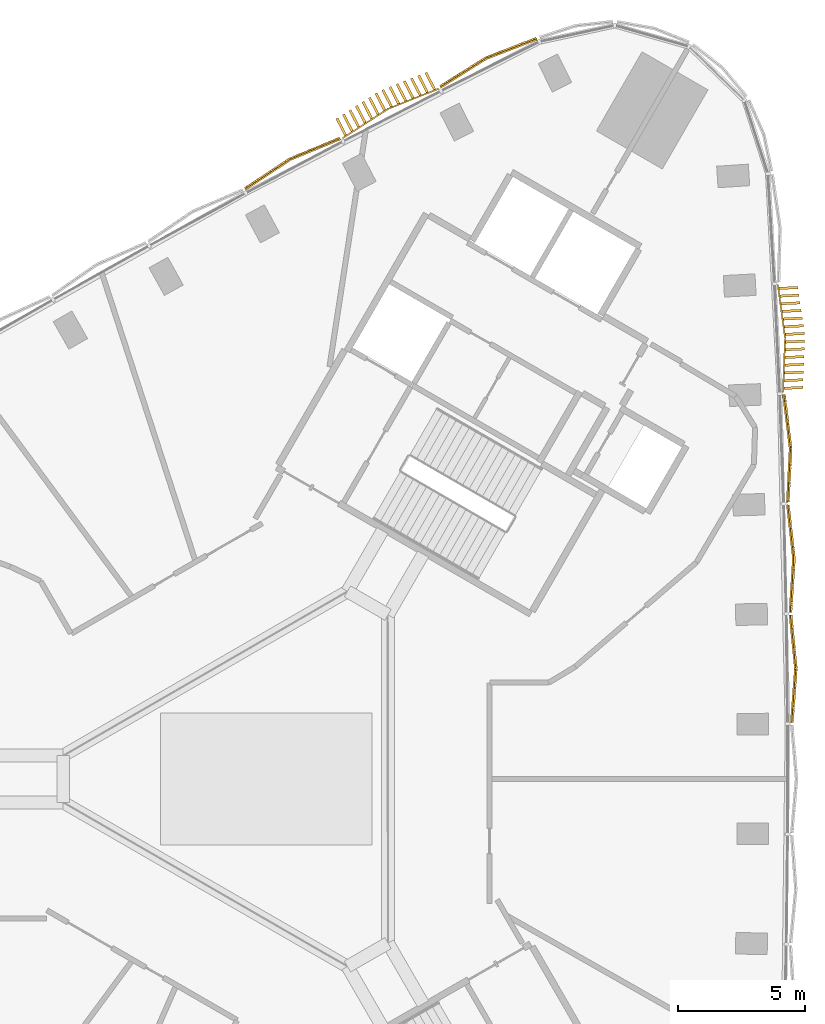
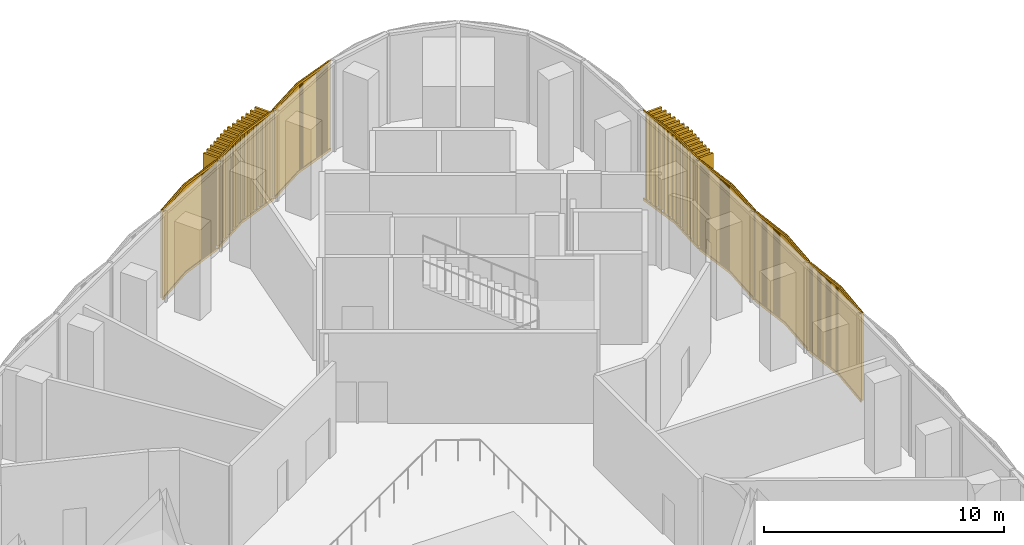
# One storey, part 16 of 17: 7 coverings.
"""IFC4 building model written with IfcOpenShell, lengths in metres."""

from ifc_helpers import new_model, si_unit, direction, frame, frame_2d, origin, place, context, subcontext, project, spatial, rectangle, extrude, source, transform, mapped, material, type_object, element, save


model = new_model("IFC4")

# Units and contexts
model_context = context("Model", 3, precision=1e-05, world=origin(), true_north=direction((0.0, 1.0)))
body_context = subcontext(model_context, "Body", "Model", "MODEL_VIEW")
ifc_project = project(units=[si_unit("LENGTHUNIT", "METRE"), si_unit("AREAUNIT", "SQUARE_METRE"), si_unit("VOLUMEUNIT", "CUBIC_METRE"), si_unit("PLANEANGLEUNIT", "RADIAN"), si_unit("MASSUNIT", "GRAM", prefix="KILO")], contexts=[model_context])

# Site, building, storey
site_placement = place(None, origin())
site = spatial("IfcSite", under=ifc_project, at=site_placement, CompositionType="ELEMENT")
building_placement = place(site_placement, origin())
building = spatial("IfcBuilding", under=site, at=building_placement, Name="Tamra Quay Hotel Tower", CompositionType="ELEMENT")
storey_placement = place(building_placement, frame((0.0, 0.0, 123.800048828125)))
storey = spatial("IfcBuildingStorey", under=building, at=storey_placement, Name="L30", CompositionType="ELEMENT", Elevation=123.800048828125)

# Coverings
ifc_material = material(Name="Terracotta baguette extruded", Category="masonry")
covering_type_1 = type_object("IfcCoveringType", Name="BAGUETTE SCREEN E-SHALLOW H4600", PredefinedType="USERDEFINED", material=ifc_material)
shared_shape_1 = source(origin(), body_context, "Body", "SweptSolid", [
    extrude(rectangle(XDim=2.130615234375, YDim=0.06005859375, at=frame_2d((1.0654296875, 0.030029296875))), frame((-2.127685546875, -0.057861328125, -0.1201171875), z_axis=(0.0, 0.0, 1.0), x_axis=(0.996194698092, -0.087155742748, 0.0)), (0.0, 0.0, 1.0), 0.1201171875),
    extrude(rectangle(XDim=2.130615234375, YDim=0.06005859375, at=frame_2d((1.0654296875, 0.030029296875))), frame((-2.127685546875, -0.057861328125, -4.60009765625), z_axis=(0.0, 0.0, 1.0), x_axis=(0.996194698092, -0.087155742748, 0.0)), (0.0, 0.0, 1.0), 0.1201171875),
    extrude(rectangle(XDim=0.094970703125, YDim=0.10009765625, at=frame_2d((0.04736328125, 0.050048828125))), frame((-2.119384765625, -0.13232421875, -4.5400390625)), (0.0, 0.0, 1.0), 4.47998046875),
    extrude(rectangle(XDim=0.094970703125, YDim=0.10009765625, at=frame_2d((0.04736328125, 0.050048828125))), frame((-2.018310546875, -0.141357421875, -4.5400390625)), (0.0, 0.0, 1.0), 4.47998046875),
    extrude(rectangle(XDim=0.094970703125, YDim=0.10009765625, at=frame_2d((0.04736328125, 0.050048828125))), frame((-1.917236328125, -0.150146484375, -4.5400390625)), (0.0, 0.0, 1.0), 4.47998046875),
    extrude(rectangle(XDim=0.094970703125, YDim=0.10009765625, at=frame_2d((0.04736328125, 0.050048828125))), frame((-1.816162109375, -0.158935546875, -4.5400390625)), (0.0, 0.0, 1.0), 4.47998046875),
    extrude(rectangle(XDim=0.094970703125, YDim=0.10009765625, at=frame_2d((0.04736328125, 0.050048828125))), frame((-1.715087890625, -0.167724609375, -4.5400390625)), (0.0, 0.0, 1.0), 4.47998046875),
    extrude(rectangle(XDim=0.094970703125, YDim=0.10009765625, at=frame_2d((0.04736328125, 0.050048828125))), frame((-1.614013671875, -0.176513671875, -4.5400390625)), (0.0, 0.0, 1.0), 4.47998046875),
    extrude(rectangle(XDim=0.094970703125, YDim=0.10009765625, at=frame_2d((0.04736328125, 0.050048828125))), frame((-1.512939453125, -0.185546875, -4.5400390625)), (0.0, 0.0, 1.0), 4.47998046875),
    extrude(rectangle(XDim=0.094970703125, YDim=0.10009765625, at=frame_2d((0.04736328125, 0.050048828125))), frame((-1.411865234375, -0.1943359375, -4.5400390625)), (0.0, 0.0, 1.0), 4.47998046875),
    extrude(rectangle(XDim=0.094970703125, YDim=0.10009765625, at=frame_2d((0.04736328125, 0.050048828125))), frame((-1.310791015625, -0.203125, -4.5400390625)), (0.0, 0.0, 1.0), 4.47998046875),
    extrude(rectangle(XDim=0.094970703125, YDim=0.10009765625, at=frame_2d((0.04736328125, 0.050048828125))), frame((-1.209716796875, -0.2119140625, -4.5400390625)), (0.0, 0.0, 1.0), 4.47998046875),
    extrude(rectangle(XDim=0.094970703125, YDim=0.10009765625, at=frame_2d((0.04736328125, 0.050048828125))), frame((-1.108642578125, -0.220947265625, -4.5400390625)), (0.0, 0.0, 1.0), 4.47998046875),
    extrude(rectangle(XDim=0.094970703125, YDim=0.10009765625, at=frame_2d((0.04736328125, 0.050048828125))), frame((-1.007568359375, -0.229736328125, -4.5400390625)), (0.0, 0.0, 1.0), 4.47998046875),
    extrude(rectangle(XDim=0.094970703125, YDim=0.10009765625, at=frame_2d((0.04736328125, 0.050048828125))), frame((-0.906494140625, -0.238525390625, -4.5400390625)), (0.0, 0.0, 1.0), 4.47998046875),
    extrude(rectangle(XDim=0.094970703125, YDim=0.10009765625, at=frame_2d((0.04736328125, 0.050048828125))), frame((-0.805419921875, -0.247314453125, -4.5400390625)), (0.0, 0.0, 1.0), 4.47998046875),
    extrude(rectangle(XDim=0.094970703125, YDim=0.10009765625, at=frame_2d((0.04736328125, 0.050048828125))), frame((-0.704345703125, -0.256103515625, -4.5400390625)), (0.0, 0.0, 1.0), 4.47998046875),
    extrude(rectangle(XDim=0.094970703125, YDim=0.10009765625, at=frame_2d((0.04736328125, 0.050048828125))), frame((-0.603271484375, -0.26513671875, -4.5400390625)), (0.0, 0.0, 1.0), 4.47998046875),
    extrude(rectangle(XDim=0.094970703125, YDim=0.10009765625, at=frame_2d((0.04736328125, 0.050048828125))), frame((-0.50244140625, -0.27392578125, -4.5400390625)), (0.0, 0.0, 1.0), 4.47998046875),
    extrude(rectangle(XDim=0.094970703125, YDim=0.10009765625, at=frame_2d((0.04736328125, 0.050048828125))), frame((-0.4013671875, -0.28271484375, -4.5400390625)), (0.0, 0.0, 1.0), 4.47998046875),
    extrude(rectangle(XDim=0.094970703125, YDim=0.10009765625, at=frame_2d((0.04736328125, 0.050048828125))), frame((-0.30029296875, -0.29150390625, -4.5400390625)), (0.0, 0.0, 1.0), 4.47998046875),
    extrude(rectangle(XDim=0.094970703125, YDim=0.10009765625, at=frame_2d((0.04736328125, 0.050048828125))), frame((-0.19921875, -0.300537109375, -4.5400390625)), (0.0, 0.0, 1.0), 4.47998046875),
    extrude(rectangle(XDim=0.094970703125, YDim=0.10009765625, at=frame_2d((0.04736328125, 0.050048828125))), frame((-0.09814453125, -0.309326171875, -4.5400390625)), (0.0, 0.0, 1.0), 4.47998046875),
    extrude(rectangle(XDim=2.130615234375, YDim=0.06005859375, at=frame_2d((1.0654296875, 0.030029296875))), frame((0.005126953125, -0.243408203125, -0.1201171875), z_axis=(0.0, 0.0, 1.0), x_axis=(0.996194698092, 0.087155742748, 0.0)), (0.0, 0.0, 1.0), 0.1201171875),
    extrude(rectangle(XDim=2.130615234375, YDim=0.06005859375, at=frame_2d((1.0654296875, 0.030029296875))), frame((0.005126953125, -0.243408203125, -4.60009765625), z_axis=(0.0, 0.0, 1.0), x_axis=(0.996194698092, 0.087155742748, 0.0)), (0.0, 0.0, 1.0), 0.1201171875),
    extrude(rectangle(XDim=0.094970703125, YDim=0.10009765625, at=frame_2d((0.04736328125, 0.050048828125))), frame((0.0029296875, -0.309326171875, -4.5400390625)), (0.0, 0.0, 1.0), 4.47998046875),
    extrude(rectangle(XDim=0.094970703125, YDim=0.10009765625, at=frame_2d((0.04736328125, 0.050048828125))), frame((0.10400390625, -0.300537109375, -4.5400390625)), (0.0, 0.0, 1.0), 4.47998046875),
    extrude(rectangle(XDim=0.094970703125, YDim=0.10009765625, at=frame_2d((0.04736328125, 0.050048828125))), frame((0.205078125, -0.29150390625, -4.5400390625)), (0.0, 0.0, 1.0), 4.47998046875),
    extrude(rectangle(XDim=0.094970703125, YDim=0.10009765625, at=frame_2d((0.04736328125, 0.050048828125))), frame((0.30615234375, -0.28271484375, -4.5400390625)), (0.0, 0.0, 1.0), 4.47998046875),
    extrude(rectangle(XDim=0.094970703125, YDim=0.10009765625, at=frame_2d((0.04736328125, 0.050048828125))), frame((0.4072265625, -0.27392578125, -4.5400390625)), (0.0, 0.0, 1.0), 4.47998046875),
    extrude(rectangle(XDim=0.094970703125, YDim=0.10009765625, at=frame_2d((0.04736328125, 0.050048828125))), frame((0.50830078125, -0.26513671875, -4.5400390625)), (0.0, 0.0, 1.0), 4.47998046875),
    extrude(rectangle(XDim=0.094970703125, YDim=0.10009765625, at=frame_2d((0.04736328125, 0.050048828125))), frame((0.609375, -0.256103515625, -4.5400390625)), (0.0, 0.0, 1.0), 4.47998046875),
    extrude(rectangle(XDim=0.094970703125, YDim=0.10009765625, at=frame_2d((0.04736328125, 0.050048828125))), frame((0.71044921875, -0.247314453125, -4.5400390625)), (0.0, 0.0, 1.0), 4.47998046875),
    extrude(rectangle(XDim=0.094970703125, YDim=0.10009765625, at=frame_2d((0.04736328125, 0.050048828125))), frame((0.8115234375, -0.238525390625, -4.5400390625)), (0.0, 0.0, 1.0), 4.47998046875),
    extrude(rectangle(XDim=0.094970703125, YDim=0.10009765625, at=frame_2d((0.04736328125, 0.050048828125))), frame((0.91259765625, -0.229736328125, -4.5400390625)), (0.0, 0.0, 1.0), 4.47998046875),
    extrude(rectangle(XDim=0.094970703125, YDim=0.10009765625, at=frame_2d((0.04736328125, 0.050048828125))), frame((1.013671875, -0.220947265625, -4.5400390625)), (0.0, 0.0, 1.0), 4.47998046875),
    extrude(rectangle(XDim=0.094970703125, YDim=0.10009765625, at=frame_2d((0.04736328125, 0.050048828125))), frame((1.11474609375, -0.2119140625, -4.5400390625)), (0.0, 0.0, 1.0), 4.47998046875),
    extrude(rectangle(XDim=0.094970703125, YDim=0.10009765625, at=frame_2d((0.04736328125, 0.050048828125))), frame((1.2158203125, -0.203125, -4.5400390625)), (0.0, 0.0, 1.0), 4.47998046875),
    extrude(rectangle(XDim=0.094970703125, YDim=0.10009765625, at=frame_2d((0.04736328125, 0.050048828125))), frame((1.31689453125, -0.1943359375, -4.5400390625)), (0.0, 0.0, 1.0), 4.47998046875),
    extrude(rectangle(XDim=0.094970703125, YDim=0.10009765625, at=frame_2d((0.04736328125, 0.050048828125))), frame((1.41796875, -0.185546875, -4.5400390625)), (0.0, 0.0, 1.0), 4.47998046875),
    extrude(rectangle(XDim=0.094970703125, YDim=0.10009765625, at=frame_2d((0.04736328125, 0.050048828125))), frame((1.51904296875, -0.176513671875, -4.5400390625)), (0.0, 0.0, 1.0), 4.47998046875),
    extrude(rectangle(XDim=0.094970703125, YDim=0.10009765625, at=frame_2d((0.04736328125, 0.050048828125))), frame((1.6201171875, -0.167724609375, -4.5400390625)), (0.0, 0.0, 1.0), 4.47998046875),
    extrude(rectangle(XDim=0.094970703125, YDim=0.10009765625, at=frame_2d((0.04736328125, 0.050048828125))), frame((1.72119140625, -0.158935546875, -4.5400390625)), (0.0, 0.0, 1.0), 4.47998046875),
    extrude(rectangle(XDim=0.094970703125, YDim=0.10009765625, at=frame_2d((0.04736328125, 0.050048828125))), frame((1.822265625, -0.150146484375, -4.5400390625)), (0.0, 0.0, 1.0), 4.47998046875),
    extrude(rectangle(XDim=0.094970703125, YDim=0.10009765625, at=frame_2d((0.04736328125, 0.050048828125))), frame((1.92333984375, -0.141357421875, -4.5400390625)), (0.0, 0.0, 1.0), 4.47998046875),
    extrude(rectangle(XDim=0.094970703125, YDim=0.10009765625, at=frame_2d((0.04736328125, 0.050048828125))), frame((2.0244140625, -0.13232421875, -4.5400390625)), (0.0, 0.0, 1.0), 4.47998046875),
])
for number, where, z_axis, x_axis, name in (
    (1, (20.617919921875, 4.33984375, 4.599853515625), (0.0, 0.0, 1.0), (-0.011957083314, 0.999928511524, 0.0), "Baguette screen L30.E.f06"),
    (2, (20.5400390625, 8.67919921875, 4.599853515625), (0.0, 0.0, 1.0), (-0.02389629492, 0.999714442773, 0.0), "Baguette screen L30.E.f07"),
    (3, (20.410400390625, 13.017578125, 4.599853515625), (0.0, 0.0, 1.0), (-0.035844773182, 0.999357369631, 0.0), "Baguette screen L30.E.f08"),
):
    element("IfcCovering", number, at=place(storey_placement, frame(where, z_axis=z_axis, x_axis=x_axis)), inside=storey, type_object=covering_type_1, Name=name, ObjectType="BAGUETTE SCREEN", PredefinedType="USERDEFINED", context=body_context, shape_type="MappedRepresentation", body=[
        mapped(shared_shape_1, transform((0.0, 0.0, 0.0), scale=1.0)),
    ])
covering_type_2 = type_object("IfcCoveringType", Name="BAGUETTE SCREEN E-DEEP H4600", PredefinedType="USERDEFINED", material=ifc_material)
shared_shape_2 = source(origin(), body_context, "Body", "SweptSolid", [
    extrude(rectangle(XDim=2.130615234375, YDim=0.06005859375, at=frame_2d((1.0654296875, 0.030029296875))), frame((-2.127685546875, -0.057861328125, -0.1201171875), z_axis=(0.0, 0.0, 1.0), x_axis=(0.996194698092, -0.087155742748, 0.0)), (0.0, 0.0, 1.0), 0.1201171875),
    extrude(rectangle(XDim=2.130615234375, YDim=0.06005859375, at=frame_2d((1.0654296875, 0.030029296875))), frame((-2.127685546875, -0.057861328125, -4.60009765625), z_axis=(0.0, 0.0, 1.0), x_axis=(0.996194698092, -0.087155742748, 0.0)), (0.0, 0.0, 1.0), 0.1201171875),
    extrude(rectangle(XDim=0.10009765625, YDim=0.780029296875, at=frame_2d((0.050048828125, 0.39013671875))), frame((-2.02099609375, -0.8212890625, -4.5400390625)), (0.0, 0.0, 1.0), 4.47998046875),
    extrude(rectangle(XDim=0.10009765625, YDim=0.780029296875, at=frame_2d((0.050048828125, 0.39013671875))), frame((-1.7177734375, -0.847900390625, -4.5400390625)), (0.0, 0.0, 1.0), 4.47998046875),
    extrude(rectangle(XDim=0.10009765625, YDim=0.780029296875, at=frame_2d((0.050048828125, 0.39013671875))), frame((-1.41455078125, -0.874267578125, -4.5400390625)), (0.0, 0.0, 1.0), 4.47998046875),
    extrude(rectangle(XDim=0.10009765625, YDim=0.780029296875, at=frame_2d((0.050048828125, 0.39013671875))), frame((-1.111328125, -0.90087890625, -4.5400390625)), (0.0, 0.0, 1.0), 4.47998046875),
    extrude(rectangle(XDim=0.10009765625, YDim=0.780029296875, at=frame_2d((0.050048828125, 0.39013671875))), frame((-0.80810546875, -0.927490234375, -4.5400390625)), (0.0, 0.0, 1.0), 4.47998046875),
    extrude(rectangle(XDim=0.10009765625, YDim=0.780029296875, at=frame_2d((0.050048828125, 0.39013671875))), frame((-0.5048828125, -0.953857421875, -4.5400390625)), (0.0, 0.0, 1.0), 4.47998046875),
    extrude(rectangle(XDim=0.10009765625, YDim=0.780029296875, at=frame_2d((0.050048828125, 0.39013671875))), frame((-0.20166015625, -0.98046875, -4.5400390625)), (0.0, 0.0, 1.0), 4.47998046875),
    extrude(rectangle(XDim=2.130615234375, YDim=0.06005859375, at=frame_2d((1.0654296875, 0.030029296875))), frame((0.005126953125, -0.243408203125, -0.1201171875), z_axis=(0.0, 0.0, 1.0), x_axis=(0.996194698092, 0.087155742748, 0.0)), (0.0, 0.0, 1.0), 0.1201171875),
    extrude(rectangle(XDim=2.130615234375, YDim=0.06005859375, at=frame_2d((1.0654296875, 0.030029296875))), frame((0.005126953125, -0.243408203125, -4.60009765625), z_axis=(0.0, 0.0, 1.0), x_axis=(0.996194698092, 0.087155742748, 0.0)), (0.0, 0.0, 1.0), 0.1201171875),
    extrude(rectangle(XDim=0.10009765625, YDim=0.780029296875, at=frame_2d((0.050048828125, 0.39013671875))), frame((0.1015625, -0.98046875, -4.5400390625)), (0.0, 0.0, 1.0), 4.47998046875),
    extrude(rectangle(XDim=0.10009765625, YDim=0.780029296875, at=frame_2d((0.050048828125, 0.39013671875))), frame((0.40478515625, -0.953857421875, -4.5400390625)), (0.0, 0.0, 1.0), 4.47998046875),
    extrude(rectangle(XDim=0.10009765625, YDim=0.780029296875, at=frame_2d((0.050048828125, 0.39013671875))), frame((0.7080078125, -0.927490234375, -4.5400390625)), (0.0, 0.0, 1.0), 4.47998046875),
    extrude(rectangle(XDim=0.10009765625, YDim=0.780029296875, at=frame_2d((0.050048828125, 0.39013671875))), frame((1.01123046875, -0.90087890625, -4.5400390625)), (0.0, 0.0, 1.0), 4.47998046875),
    extrude(rectangle(XDim=0.10009765625, YDim=0.780029296875, at=frame_2d((0.050048828125, 0.39013671875))), frame((1.314453125, -0.874267578125, -4.5400390625)), (0.0, 0.0, 1.0), 4.47998046875),
    extrude(rectangle(XDim=0.10009765625, YDim=0.780029296875, at=frame_2d((0.050048828125, 0.39013671875))), frame((1.61767578125, -0.847900390625, -4.5400390625)), (0.0, 0.0, 1.0), 4.47998046875),
    extrude(rectangle(XDim=0.10009765625, YDim=0.780029296875, at=frame_2d((0.050048828125, 0.39013671875))), frame((1.9208984375, -0.8212890625, -4.5400390625)), (0.0, 0.0, 1.0), 4.47998046875),
])
covering_1_placement = place(storey_placement, frame((20.22900390625, 17.353759765625, 4.599853515625), z_axis=(0.0, 0.0, 1.0), x_axis=(-0.047746993886, 0.998859461874, 0.0)))
element("IfcCovering", 4, at=covering_1_placement, inside=storey, type_object=covering_type_2, Name="Baguette screen L30.E.f09", ObjectType="BAGUETTE SCREEN", PredefinedType="USERDEFINED", context=body_context, shape_type="MappedRepresentation", body=[
    mapped(shared_shape_2, transform((0.0, 0.0, 0.0), scale=1.0)),
])
covering_type_3 = type_object("IfcCoveringType", Name="BAGUETTE SCREEN NW-SHALLOW H4600", PredefinedType="USERDEFINED", material=ifc_material)
shared_shape_3 = source(origin(), body_context, "Body", "SweptSolid", [
    extrude(rectangle(XDim=2.13232421875, YDim=0.06005859375, at=frame_2d((1.066162109375, 0.030029296875))), frame((-2.128173828125, -0.0576171875, -0.1201171875), z_axis=(0.0, 0.0, 1.0), x_axis=(0.995396198367, -0.09584575252, 0.0)), (0.0, 0.0, 1.0), 0.1201171875),
    extrude(rectangle(XDim=2.13232421875, YDim=0.06005859375, at=frame_2d((1.066162109375, 0.030029296875))), frame((-2.128173828125, -0.0576171875, -4.60009765625), z_axis=(0.0, 0.0, 1.0), x_axis=(0.995396198367, -0.09584575252, 0.0)), (0.0, 0.0, 1.0), 0.1201171875),
    extrude(rectangle(XDim=0.094970703125, YDim=0.10009765625, at=frame_2d((0.04736328125, 0.050048828125))), frame((-2.119384765625, -0.1328125, -4.5400390625)), (0.0, 0.0, 1.0), 4.47998046875),
    extrude(rectangle(XDim=0.094970703125, YDim=0.10009765625, at=frame_2d((0.04736328125, 0.050048828125))), frame((-2.018310546875, -0.142578125, -4.5400390625)), (0.0, 0.0, 1.0), 4.47998046875),
    extrude(rectangle(XDim=0.094970703125, YDim=0.10009765625, at=frame_2d((0.04736328125, 0.050048828125))), frame((-1.917236328125, -0.15234375, -4.5400390625)), (0.0, 0.0, 1.0), 4.47998046875),
    extrude(rectangle(XDim=0.094970703125, YDim=0.10009765625, at=frame_2d((0.04736328125, 0.050048828125))), frame((-1.816162109375, -0.162109375, -4.5400390625)), (0.0, 0.0, 1.0), 4.47998046875),
    extrude(rectangle(XDim=0.094970703125, YDim=0.10009765625, at=frame_2d((0.04736328125, 0.050048828125))), frame((-1.715087890625, -0.171875, -4.5400390625)), (0.0, 0.0, 1.0), 4.47998046875),
    extrude(rectangle(XDim=0.094970703125, YDim=0.10009765625, at=frame_2d((0.04736328125, 0.050048828125))), frame((-1.614013671875, -0.181640625, -4.5400390625)), (0.0, 0.0, 1.0), 4.47998046875),
    extrude(rectangle(XDim=0.094970703125, YDim=0.10009765625, at=frame_2d((0.04736328125, 0.050048828125))), frame((-1.512939453125, -0.191162109375, -4.5400390625)), (0.0, 0.0, 1.0), 4.47998046875),
    extrude(rectangle(XDim=0.094970703125, YDim=0.10009765625, at=frame_2d((0.04736328125, 0.050048828125))), frame((-1.411865234375, -0.200927734375, -4.5400390625)), (0.0, 0.0, 1.0), 4.47998046875),
    extrude(rectangle(XDim=0.094970703125, YDim=0.10009765625, at=frame_2d((0.04736328125, 0.050048828125))), frame((-1.310791015625, -0.210693359375, -4.5400390625)), (0.0, 0.0, 1.0), 4.47998046875),
    extrude(rectangle(XDim=0.094970703125, YDim=0.10009765625, at=frame_2d((0.04736328125, 0.050048828125))), frame((-1.209716796875, -0.220458984375, -4.5400390625)), (0.0, 0.0, 1.0), 4.47998046875),
    extrude(rectangle(XDim=0.094970703125, YDim=0.10009765625, at=frame_2d((0.04736328125, 0.050048828125))), frame((-1.108642578125, -0.230224609375, -4.5400390625)), (0.0, 0.0, 1.0), 4.47998046875),
    extrude(rectangle(XDim=0.094970703125, YDim=0.10009765625, at=frame_2d((0.04736328125, 0.050048828125))), frame((-1.007568359375, -0.239990234375, -4.5400390625)), (0.0, 0.0, 1.0), 4.47998046875),
    extrude(rectangle(XDim=0.094970703125, YDim=0.10009765625, at=frame_2d((0.04736328125, 0.050048828125))), frame((-0.906494140625, -0.249755859375, -4.5400390625)), (0.0, 0.0, 1.0), 4.47998046875),
    extrude(rectangle(XDim=0.094970703125, YDim=0.10009765625, at=frame_2d((0.04736328125, 0.050048828125))), frame((-0.805419921875, -0.25927734375, -4.5400390625)), (0.0, 0.0, 1.0), 4.47998046875),
    extrude(rectangle(XDim=0.094970703125, YDim=0.10009765625, at=frame_2d((0.04736328125, 0.050048828125))), frame((-0.704345703125, -0.26904296875, -4.5400390625)), (0.0, 0.0, 1.0), 4.47998046875),
    extrude(rectangle(XDim=0.094970703125, YDim=0.10009765625, at=frame_2d((0.04736328125, 0.050048828125))), frame((-0.603271484375, -0.27880859375, -4.5400390625)), (0.0, 0.0, 1.0), 4.47998046875),
    extrude(rectangle(XDim=0.094970703125, YDim=0.10009765625, at=frame_2d((0.04736328125, 0.050048828125))), frame((-0.50244140625, -0.28857421875, -4.5400390625)), (0.0, 0.0, 1.0), 4.47998046875),
    extrude(rectangle(XDim=0.094970703125, YDim=0.10009765625, at=frame_2d((0.04736328125, 0.050048828125))), frame((-0.4013671875, -0.29833984375, -4.5400390625)), (0.0, 0.0, 1.0), 4.47998046875),
    extrude(rectangle(XDim=0.094970703125, YDim=0.10009765625, at=frame_2d((0.04736328125, 0.050048828125))), frame((-0.30029296875, -0.30810546875, -4.5400390625)), (0.0, 0.0, 1.0), 4.47998046875),
    extrude(rectangle(XDim=0.094970703125, YDim=0.10009765625, at=frame_2d((0.04736328125, 0.050048828125))), frame((-0.19921875, -0.31787109375, -4.5400390625)), (0.0, 0.0, 1.0), 4.47998046875),
    extrude(rectangle(XDim=0.094970703125, YDim=0.10009765625, at=frame_2d((0.04736328125, 0.050048828125))), frame((-0.09814453125, -0.327392578125, -4.5400390625)), (0.0, 0.0, 1.0), 4.47998046875),
    extrude(rectangle(XDim=2.13232421875, YDim=0.06005859375, at=frame_2d((1.066162109375, 0.030029296875))), frame((0.005859375, -0.26220703125, -0.1201171875), z_axis=(0.0, 0.0, 1.0), x_axis=(0.995396198367, 0.09584575252, 0.0)), (0.0, 0.0, 1.0), 0.1201171875),
    extrude(rectangle(XDim=2.13232421875, YDim=0.06005859375, at=frame_2d((1.066162109375, 0.030029296875))), frame((0.005859375, -0.26220703125, -4.60009765625), z_axis=(0.0, 0.0, 1.0), x_axis=(0.995396198367, 0.09584575252, 0.0)), (0.0, 0.0, 1.0), 0.1201171875),
    extrude(rectangle(XDim=0.094970703125, YDim=0.10009765625, at=frame_2d((0.04736328125, 0.050048828125))), frame((0.0029296875, -0.327392578125, -4.5400390625)), (0.0, 0.0, 1.0), 4.47998046875),
    extrude(rectangle(XDim=0.094970703125, YDim=0.10009765625, at=frame_2d((0.04736328125, 0.050048828125))), frame((0.10400390625, -0.31787109375, -4.5400390625)), (0.0, 0.0, 1.0), 4.47998046875),
    extrude(rectangle(XDim=0.094970703125, YDim=0.10009765625, at=frame_2d((0.04736328125, 0.050048828125))), frame((0.205078125, -0.30810546875, -4.5400390625)), (0.0, 0.0, 1.0), 4.47998046875),
    extrude(rectangle(XDim=0.094970703125, YDim=0.10009765625, at=frame_2d((0.04736328125, 0.050048828125))), frame((0.30615234375, -0.29833984375, -4.5400390625)), (0.0, 0.0, 1.0), 4.47998046875),
    extrude(rectangle(XDim=0.094970703125, YDim=0.10009765625, at=frame_2d((0.04736328125, 0.050048828125))), frame((0.4072265625, -0.28857421875, -4.5400390625)), (0.0, 0.0, 1.0), 4.47998046875),
    extrude(rectangle(XDim=0.094970703125, YDim=0.10009765625, at=frame_2d((0.04736328125, 0.050048828125))), frame((0.50830078125, -0.27880859375, -4.5400390625)), (0.0, 0.0, 1.0), 4.47998046875),
    extrude(rectangle(XDim=0.094970703125, YDim=0.10009765625, at=frame_2d((0.04736328125, 0.050048828125))), frame((0.609375, -0.26904296875, -4.5400390625)), (0.0, 0.0, 1.0), 4.47998046875),
    extrude(rectangle(XDim=0.094970703125, YDim=0.10009765625, at=frame_2d((0.04736328125, 0.050048828125))), frame((0.71044921875, -0.25927734375, -4.5400390625)), (0.0, 0.0, 1.0), 4.47998046875),
    extrude(rectangle(XDim=0.094970703125, YDim=0.10009765625, at=frame_2d((0.04736328125, 0.050048828125))), frame((0.8115234375, -0.249755859375, -4.5400390625)), (0.0, 0.0, 1.0), 4.47998046875),
    extrude(rectangle(XDim=0.094970703125, YDim=0.10009765625, at=frame_2d((0.04736328125, 0.050048828125))), frame((0.91259765625, -0.239990234375, -4.5400390625)), (0.0, 0.0, 1.0), 4.47998046875),
    extrude(rectangle(XDim=0.094970703125, YDim=0.10009765625, at=frame_2d((0.04736328125, 0.050048828125))), frame((1.013671875, -0.230224609375, -4.5400390625)), (0.0, 0.0, 1.0), 4.47998046875),
    extrude(rectangle(XDim=0.094970703125, YDim=0.10009765625, at=frame_2d((0.04736328125, 0.050048828125))), frame((1.11474609375, -0.220458984375, -4.5400390625)), (0.0, 0.0, 1.0), 4.47998046875),
    extrude(rectangle(XDim=0.094970703125, YDim=0.10009765625, at=frame_2d((0.04736328125, 0.050048828125))), frame((1.2158203125, -0.210693359375, -4.5400390625)), (0.0, 0.0, 1.0), 4.47998046875),
    extrude(rectangle(XDim=0.094970703125, YDim=0.10009765625, at=frame_2d((0.04736328125, 0.050048828125))), frame((1.31689453125, -0.200927734375, -4.5400390625)), (0.0, 0.0, 1.0), 4.47998046875),
    extrude(rectangle(XDim=0.094970703125, YDim=0.10009765625, at=frame_2d((0.04736328125, 0.050048828125))), frame((1.41796875, -0.191162109375, -4.5400390625)), (0.0, 0.0, 1.0), 4.47998046875),
    extrude(rectangle(XDim=0.094970703125, YDim=0.10009765625, at=frame_2d((0.04736328125, 0.050048828125))), frame((1.51904296875, -0.181640625, -4.5400390625)), (0.0, 0.0, 1.0), 4.47998046875),
    extrude(rectangle(XDim=0.094970703125, YDim=0.10009765625, at=frame_2d((0.04736328125, 0.050048828125))), frame((1.6201171875, -0.171875, -4.5400390625)), (0.0, 0.0, 1.0), 4.47998046875),
    extrude(rectangle(XDim=0.094970703125, YDim=0.10009765625, at=frame_2d((0.04736328125, 0.050048828125))), frame((1.72119140625, -0.162109375, -4.5400390625)), (0.0, 0.0, 1.0), 4.47998046875),
    extrude(rectangle(XDim=0.094970703125, YDim=0.10009765625, at=frame_2d((0.04736328125, 0.050048828125))), frame((1.822265625, -0.15234375, -4.5400390625)), (0.0, 0.0, 1.0), 4.47998046875),
    extrude(rectangle(XDim=0.094970703125, YDim=0.10009765625, at=frame_2d((0.04736328125, 0.050048828125))), frame((1.92333984375, -0.142578125, -4.5400390625)), (0.0, 0.0, 1.0), 4.47998046875),
    extrude(rectangle(XDim=0.094970703125, YDim=0.10009765625, at=frame_2d((0.04736328125, 0.050048828125))), frame((2.0244140625, -0.1328125, -4.5400390625)), (0.0, 0.0, 1.0), 4.47998046875),
])
for number, where, z_axis, x_axis, name in (
    (5, (8.783935546875, 28.16064453125, 4.599853515625), (0.0, 0.0, 1.0), (-0.894304738207, -0.447458417309, 0.0), "Baguette screen L30.NW.f00"),
    (6, (1.068359375, 24.184814453125, 4.599853515625), (0.0, 0.0, 1.0), (-0.883391256151, -0.468636200647, 0.0), "Baguette screen L30.NW.f02"),
):
    element("IfcCovering", number, at=place(storey_placement, frame(where, z_axis=z_axis, x_axis=x_axis)), inside=storey, type_object=covering_type_3, Name=name, ObjectType="BAGUETTE SCREEN", PredefinedType="USERDEFINED", context=body_context, shape_type="MappedRepresentation", body=[
        mapped(shared_shape_3, transform((0.0, 0.0, 0.0), scale=1.0)),
    ])
covering_type_4 = type_object("IfcCoveringType", Name="BAGUETTE SCREEN NW-DEEP H4600", PredefinedType="USERDEFINED", material=ifc_material)
shared_shape_4 = source(origin(), body_context, "Body", "SweptSolid", [
    extrude(rectangle(XDim=2.13232421875, YDim=0.06005859375, at=frame_2d((1.066162109375, 0.030029296875))), frame((-2.128173828125, -0.0576171875, -0.1201171875), z_axis=(0.0, 0.0, 1.0), x_axis=(0.995396198367, -0.09584575252, 0.0)), (0.0, 0.0, 1.0), 0.1201171875),
    extrude(rectangle(XDim=2.13232421875, YDim=0.06005859375, at=frame_2d((1.066162109375, 0.030029296875))), frame((-2.128173828125, -0.0576171875, -4.60009765625), z_axis=(0.0, 0.0, 1.0), x_axis=(0.995396198367, -0.09584575252, 0.0)), (0.0, 0.0, 1.0), 0.1201171875),
    extrude(rectangle(XDim=0.10009765625, YDim=0.780029296875, at=frame_2d((0.050048828125, 0.39013671875))), frame((-2.02099609375, -0.822509765625, -4.5400390625)), (0.0, 0.0, 1.0), 4.47998046875),
    extrude(rectangle(XDim=0.10009765625, YDim=0.780029296875, at=frame_2d((0.050048828125, 0.39013671875))), frame((-1.7177734375, -0.851806640625, -4.5400390625)), (0.0, 0.0, 1.0), 4.47998046875),
    extrude(rectangle(XDim=0.10009765625, YDim=0.780029296875, at=frame_2d((0.050048828125, 0.39013671875))), frame((-1.41455078125, -0.881103515625, -4.5400390625)), (0.0, 0.0, 1.0), 4.47998046875),
    extrude(rectangle(XDim=0.10009765625, YDim=0.780029296875, at=frame_2d((0.050048828125, 0.39013671875))), frame((-1.111328125, -0.91015625, -4.5400390625)), (0.0, 0.0, 1.0), 4.47998046875),
    extrude(rectangle(XDim=0.10009765625, YDim=0.780029296875, at=frame_2d((0.050048828125, 0.39013671875))), frame((-0.80810546875, -0.939453125, -4.5400390625)), (0.0, 0.0, 1.0), 4.47998046875),
    extrude(rectangle(XDim=0.10009765625, YDim=0.780029296875, at=frame_2d((0.050048828125, 0.39013671875))), frame((-0.5048828125, -0.968505859375, -4.5400390625)), (0.0, 0.0, 1.0), 4.47998046875),
    extrude(rectangle(XDim=0.10009765625, YDim=0.780029296875, at=frame_2d((0.050048828125, 0.39013671875))), frame((-0.20166015625, -0.997802734375, -4.5400390625)), (0.0, 0.0, 1.0), 4.47998046875),
    extrude(rectangle(XDim=2.13232421875, YDim=0.06005859375, at=frame_2d((1.066162109375, 0.030029296875))), frame((0.005859375, -0.26220703125, -0.1201171875), z_axis=(0.0, 0.0, 1.0), x_axis=(0.995396198367, 0.09584575252, 0.0)), (0.0, 0.0, 1.0), 0.1201171875),
    extrude(rectangle(XDim=2.13232421875, YDim=0.06005859375, at=frame_2d((1.066162109375, 0.030029296875))), frame((0.005859375, -0.26220703125, -4.60009765625), z_axis=(0.0, 0.0, 1.0), x_axis=(0.995396198367, 0.09584575252, 0.0)), (0.0, 0.0, 1.0), 0.1201171875),
    extrude(rectangle(XDim=0.10009765625, YDim=0.780029296875, at=frame_2d((0.050048828125, 0.39013671875))), frame((0.1015625, -0.997802734375, -4.5400390625)), (0.0, 0.0, 1.0), 4.47998046875),
    extrude(rectangle(XDim=0.10009765625, YDim=0.780029296875, at=frame_2d((0.050048828125, 0.39013671875))), frame((0.40478515625, -0.968505859375, -4.5400390625)), (0.0, 0.0, 1.0), 4.47998046875),
    extrude(rectangle(XDim=0.10009765625, YDim=0.780029296875, at=frame_2d((0.050048828125, 0.39013671875))), frame((0.7080078125, -0.939453125, -4.5400390625)), (0.0, 0.0, 1.0), 4.47998046875),
    extrude(rectangle(XDim=0.10009765625, YDim=0.780029296875, at=frame_2d((0.050048828125, 0.39013671875))), frame((1.01123046875, -0.91015625, -4.5400390625)), (0.0, 0.0, 1.0), 4.47998046875),
    extrude(rectangle(XDim=0.10009765625, YDim=0.780029296875, at=frame_2d((0.050048828125, 0.39013671875))), frame((1.314453125, -0.881103515625, -4.5400390625)), (0.0, 0.0, 1.0), 4.47998046875),
    extrude(rectangle(XDim=0.10009765625, YDim=0.780029296875, at=frame_2d((0.050048828125, 0.39013671875))), frame((1.61767578125, -0.851806640625, -4.5400390625)), (0.0, 0.0, 1.0), 4.47998046875),
    extrude(rectangle(XDim=0.10009765625, YDim=0.780029296875, at=frame_2d((0.050048828125, 0.39013671875))), frame((1.9208984375, -0.822509765625, -4.5400390625)), (0.0, 0.0, 1.0), 4.47998046875),
])
covering_2_placement = place(storey_placement, frame((4.914306640625, 26.19580078125, 4.599853515625), z_axis=(0.0, 0.0, 1.0), x_axis=(-0.888911165736, -0.458079621277, 0.0)))
element("IfcCovering", 7, at=covering_2_placement, inside=storey, type_object=covering_type_4, Name="Baguette screen L30.NW.f01", ObjectType="BAGUETTE SCREEN", PredefinedType="USERDEFINED", context=body_context, shape_type="MappedRepresentation", body=[
    mapped(shared_shape_4, transform((0.0, 0.0, 0.0), scale=1.0)),
])

save(model, "model.ifc")
